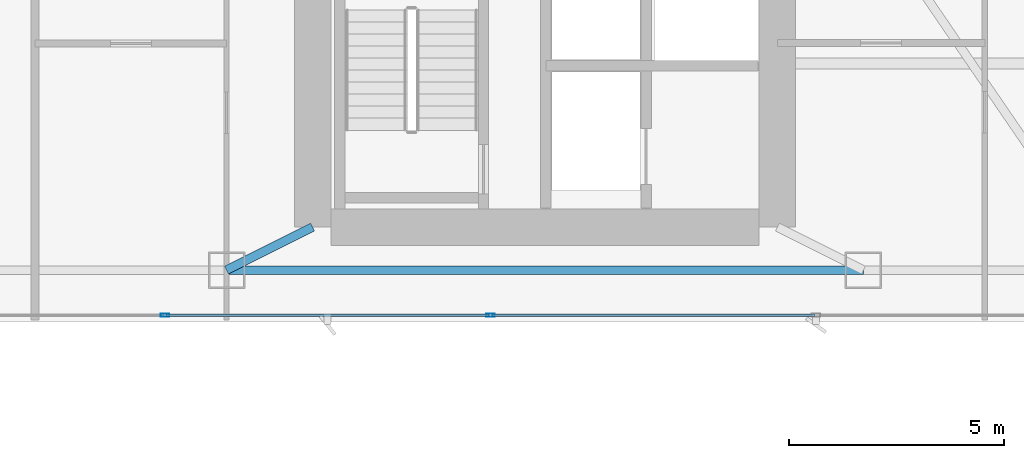
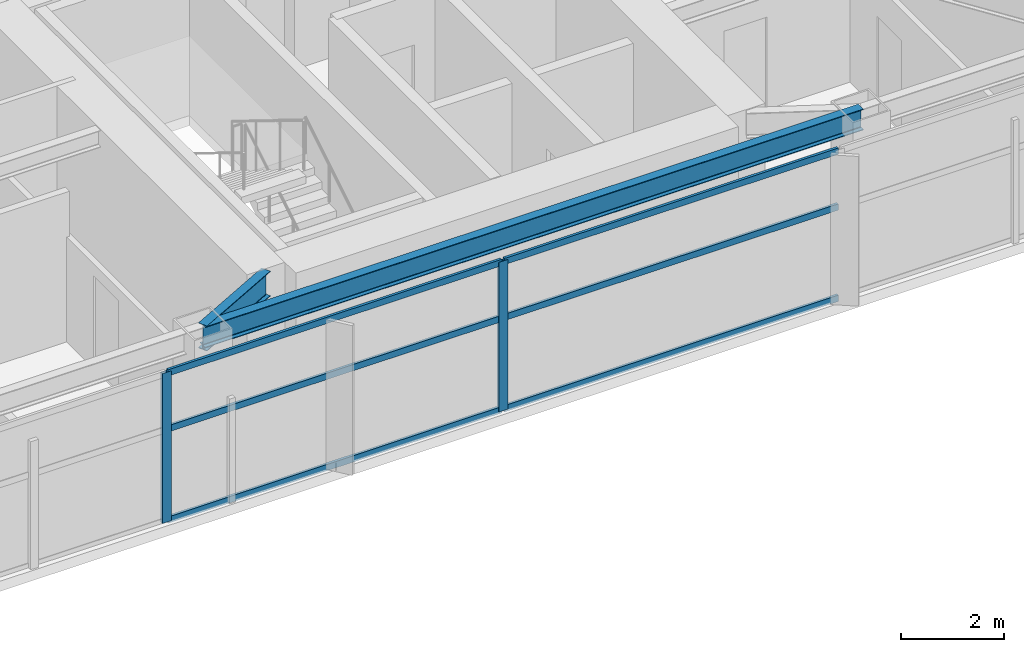
# One storey, part 6 of 29: 8 members, 2 beams, 1 element without a shape of its own.
"""IFC4 building model written with IfcOpenShell, lengths in metres."""

from ifc_helpers import new_model, si_unit, direction, frame, origin, origin_2d, place, context, subcontext, project, spatial, hollow_rectangle, i_section, extrude, material, layer, layer_set, material_profile, profile_set, type_object, element, aggregate, save


model = new_model("IFC4")

# Units and contexts
model_context = context("Model", 3, precision=1e-05, world=origin(), true_north=direction((0.0, 1.0)))
body_context = subcontext(model_context, "Body", "Model", "MODEL_VIEW")
ifc_project = project(units=[si_unit("LENGTHUNIT", "METRE"), si_unit("AREAUNIT", "SQUARE_METRE"), si_unit("VOLUMEUNIT", "CUBIC_METRE"), si_unit("PLANEANGLEUNIT", "RADIAN"), si_unit("MASSUNIT", "GRAM", prefix="KILO")], contexts=[model_context])

# Site, building, storey
site_placement = place(None, origin())
site = spatial("IfcSite", under=ifc_project, at=site_placement, CompositionType="ELEMENT")
building_placement = place(site_placement, origin())
building = spatial("IfcBuilding", under=site, at=building_placement, Name="Calvorn Quay Hotel", CompositionType="ELEMENT")
storey_placement = place(building_placement, frame((0.0, 0.0, 163.699951171875)))
storey = spatial("IfcBuildingStorey", under=building, at=storey_placement, Name="L40", CompositionType="ELEMENT", Elevation=163.699951171875)

# Beams
ifc_material_1 = material(Name="Steel Q355B", Category="steel")
ifc_material_profile_1 = material_profile(ifc_material_1, i_section(OverallWidth=0.199951171875, OverallDepth=0.60009765625, WebThickness=0.010986328125, FlangeThickness=0.01708984375, FilletRadius=0.01806640625, at=origin_2d()), Name="HN600x200x11x17")
ifc_profile_set_1 = profile_set([ifc_material_profile_1], Name="Steel Q355B")
beam_type_1 = type_object("IfcBeamType", Name="BM-GIRD-TYP", PredefinedType="BEAM", material=ifc_profile_set_1)
beam_1_placement = place(storey_placement, frame((19.60009765625, 3.60009765625, 3.239990234375), z_axis=(0.894427191, 0.4472135955, 0.0), x_axis=(-0.4472135955, 0.894427191, 0.0)))
element("IfcBeam", 1, at=beam_1_placement, inside=storey, type_object=beam_type_1, Name="Beam BG-L40-S2", PredefinedType="BEAM", context=body_context, shape_type="SweptSolid", body=[
    extrude(i_section(OverallWidth=0.199951171875, OverallDepth=0.60009765625, WebThickness=0.010986328125, FlangeThickness=0.01708984375, FilletRadius=0.01806640625, at=origin_2d()), origin(), (0.0, 0.0, 1.0), 2.236083984375),
])
ifc_material_2 = material(Name="Steel Q355B", Category="steel")
ifc_material_profile_2 = material_profile(ifc_material_2, i_section(OverallWidth=0.199951171875, OverallDepth=0.5, WebThickness=0.010009765625, FlangeThickness=0.01611328125, FilletRadius=0.01611328125, at=origin_2d()), Name="HN500x200x10x16")
ifc_profile_set_2 = profile_set([ifc_material_profile_2], Name="Steel Q355B")
beam_type_2 = type_object("IfcBeamType", Name="BM-SPANDREL-Z1", PredefinedType="SPANDREL", material=ifc_profile_set_2)
beam_2_placement = place(storey_placement, frame((19.60009765625, 3.60009765625, 3.2900390625), z_axis=(1.0, 0.0, 0.0), x_axis=(0.0, 1.0, 0.0)))
element("IfcBeam", 2, at=beam_2_placement, inside=storey, type_object=beam_type_2, Name="Beam BSP-L40-S3", PredefinedType="SPANDREL", context=body_context, shape_type="SweptSolid", body=[
    extrude(i_section(OverallWidth=0.199951171875, OverallDepth=0.5, WebThickness=0.010009765625, FlangeThickness=0.01611328125, FilletRadius=0.01611328125, at=origin_2d()), origin(), (0.0, 0.0, 1.0), 14.7998046875),
])

# Curtain wall, members
ifc_material_3 = material(Name="Pale Anodised Aluminium and Low-E Glass", Category="aluminium")
ifc_layer = layer(ifc_material_3, 0.219970703125)
ifc_layer_set = layer_set([ifc_layer], Name="CW-SYS-Z2")
curtain_wall_type = type_object("IfcCurtainWallType", Name="CW-SYS-Z2", PredefinedType="NOTDEFINED", material=ifc_layer_set)
curtain_wall_placement = place(storey_placement, origin())
curtain_wall = element("IfcCurtainWall", 3, at=curtain_wall_placement, inside=storey, type_object=curtain_wall_type, Name="Tower South Waterfront Curtain Wall (L40)", PredefinedType="NOTDEFINED")
ifc_material_4 = material(Name="Pale Anodised Aluminium 6063-T6", Category="aluminium")
ifc_material_profile_3 = material_profile(ifc_material_4, hollow_rectangle(XDim=0.070068359375, YDim=0.199951171875, WallThickness=0.00390625, at=origin_2d()), Name="ALU-M200x70x4")
ifc_profile_set_3 = profile_set([ifc_material_profile_3], Name="Pale Anodised Aluminium 6063-T6")
member_type_1 = type_object("IfcMemberType", Name="CW-SYS-Z2-MUL", PredefinedType="MULLION", material=ifc_profile_set_3)
member_1_placement = place(storey_placement, frame((18.166748046875, 2.550048828125, 0.0), z_axis=(0.0, 0.0, 1.0), x_axis=(0.0, 1.0, 0.0)))
member_1 = element("IfcMember", 4, at=member_1_placement, type_object=member_type_1, Name="CW-L40-S mullion 2", PredefinedType="MULLION", context=body_context, shape_type="SweptSolid", body=[
    extrude(hollow_rectangle(XDim=0.070068359375, YDim=0.199951171875, WallThickness=0.00390625, at=origin_2d()), origin(), (0.0, 0.0, 1.0), 3.56005859375),
])
member_2_placement = place(storey_placement, frame((25.7333984375, 2.550048828125, 0.0), z_axis=(0.0, 0.0, 1.0), x_axis=(0.0, 1.0, 0.0)))
member_2 = element("IfcMember", 5, at=member_2_placement, type_object=member_type_1, Name="CW-L40-S mullion 3", PredefinedType="MULLION", context=body_context, shape_type="SweptSolid", body=[
    extrude(hollow_rectangle(XDim=0.070068359375, YDim=0.199951171875, WallThickness=0.00390625, at=origin_2d()), origin(), (0.0, 0.0, 1.0), 3.56005859375),
])
ifc_material_5 = material(Name="Pale Anodised Aluminium 6063-T6", Category="aluminium")
ifc_material_profile_4 = material_profile(ifc_material_5, hollow_rectangle(XDim=0.06005859375, YDim=0.14990234375, WallThickness=0.00341796875, at=origin_2d()), Name="ALU-T150x60x3.5")
ifc_profile_set_4 = profile_set([ifc_material_profile_4], Name="Pale Anodised Aluminium 6063-T6")
member_type_2 = type_object("IfcMemberType", Name="CW-SYS-Z2-TRN", PredefinedType="USERDEFINED", material=ifc_profile_set_4)
member_3_placement = place(storey_placement, frame((18.19677734375, 2.550048828125, 0.030029296875), z_axis=(1.0, 0.0, 0.0), x_axis=(0.0, 1.0, 0.0)))
member_3 = element("IfcMember", 6, at=member_3_placement, type_object=member_type_2, Name="CW-L40-S transom 2.1", ObjectType="TRANSOM", PredefinedType="USERDEFINED", context=body_context, shape_type="SweptSolid", body=[
    extrude(hollow_rectangle(XDim=0.06005859375, YDim=0.14990234375, WallThickness=0.00341796875, at=origin_2d()), origin(), (0.0, 0.0, 1.0), 7.506591796875),
])
member_4_placement = place(storey_placement, frame((18.19677734375, 2.550048828125, 2.199951171875), z_axis=(1.0, 0.0, 0.0), x_axis=(0.0, 1.0, 0.0)))
member_4 = element("IfcMember", 7, at=member_4_placement, type_object=member_type_2, Name="CW-L40-S transom 2.2", ObjectType="TRANSOM", PredefinedType="USERDEFINED", context=body_context, shape_type="SweptSolid", body=[
    extrude(hollow_rectangle(XDim=0.06005859375, YDim=0.14990234375, WallThickness=0.00341796875, at=origin_2d()), origin(), (0.0, 0.0, 1.0), 7.506591796875),
])
member_5_placement = place(storey_placement, frame((18.19677734375, 2.550048828125, 3.530029296875), z_axis=(1.0, 0.0, 0.0), x_axis=(0.0, 1.0, 0.0)))
member_5 = element("IfcMember", 8, at=member_5_placement, type_object=member_type_2, Name="CW-L40-S transom 2.3", ObjectType="TRANSOM", PredefinedType="USERDEFINED", context=body_context, shape_type="SweptSolid", body=[
    extrude(hollow_rectangle(XDim=0.06005859375, YDim=0.14990234375, WallThickness=0.00341796875, at=origin_2d()), origin(), (0.0, 0.0, 1.0), 7.506591796875),
])
member_6_placement = place(storey_placement, frame((25.763427734375, 2.550048828125, 0.030029296875), z_axis=(1.0, 0.0, 0.0), x_axis=(0.0, 1.0, 0.0)))
member_6 = element("IfcMember", 9, at=member_6_placement, type_object=member_type_2, Name="CW-L40-S transom 3.1", ObjectType="TRANSOM", PredefinedType="USERDEFINED", context=body_context, shape_type="SweptSolid", body=[
    extrude(hollow_rectangle(XDim=0.06005859375, YDim=0.14990234375, WallThickness=0.00341796875, at=origin_2d()), origin(), (0.0, 0.0, 1.0), 7.506591796875),
])
member_7_placement = place(storey_placement, frame((25.763427734375, 2.550048828125, 2.199951171875), z_axis=(1.0, 0.0, 0.0), x_axis=(0.0, 1.0, 0.0)))
member_7 = element("IfcMember", 10, at=member_7_placement, type_object=member_type_2, Name="CW-L40-S transom 3.2", ObjectType="TRANSOM", PredefinedType="USERDEFINED", context=body_context, shape_type="SweptSolid", body=[
    extrude(hollow_rectangle(XDim=0.06005859375, YDim=0.14990234375, WallThickness=0.00341796875, at=origin_2d()), origin(), (0.0, 0.0, 1.0), 7.506591796875),
])
member_8_placement = place(storey_placement, frame((25.763427734375, 2.550048828125, 3.530029296875), z_axis=(1.0, 0.0, 0.0), x_axis=(0.0, 1.0, 0.0)))
member_8 = element("IfcMember", 11, at=member_8_placement, type_object=member_type_2, Name="CW-L40-S transom 3.3", ObjectType="TRANSOM", PredefinedType="USERDEFINED", context=body_context, shape_type="SweptSolid", body=[
    extrude(hollow_rectangle(XDim=0.06005859375, YDim=0.14990234375, WallThickness=0.00341796875, at=origin_2d()), origin(), (0.0, 0.0, 1.0), 7.506591796875),
])
aggregate(curtain_wall, [member_1, member_2, member_3, member_4, member_5, member_6, member_7, member_8])

save(model, "model.ifc")
